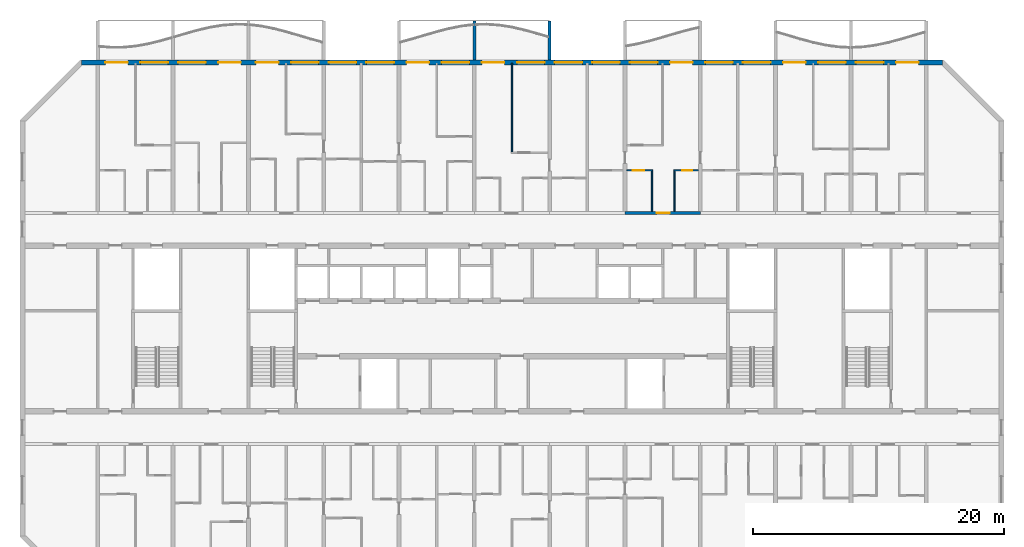
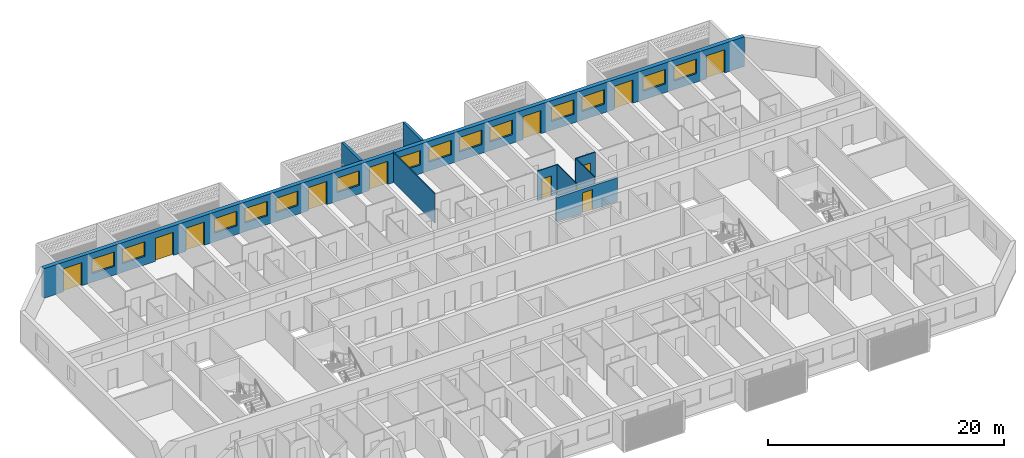
# One storey, part 10 of 32: 14 windows, 11 doors, 9 walls, 25 openings.
"""IFC4 building model written with IfcOpenShell, lengths in metres."""

from ifc_helpers import new_model, si_unit, direction, frame, frame_2d, origin, place, context, subcontext, project, spatial, polyline, rectangle, outline, extrude, source, transform, mapped, material, layer, layer_set, type_object, element, fill, save


model = new_model("IFC4")

# Units and contexts
model_context = context("Model", 3, precision=1e-05, world=origin(), true_north=direction((0.0, 1.0)))
body_context = subcontext(model_context, "Body", "Model", "MODEL_VIEW")
ifc_project = project(units=[si_unit("LENGTHUNIT", "METRE"), si_unit("AREAUNIT", "SQUARE_METRE"), si_unit("VOLUMEUNIT", "CUBIC_METRE"), si_unit("PLANEANGLEUNIT", "RADIAN"), si_unit("MASSUNIT", "GRAM", prefix="KILO")], contexts=[model_context])

# Site, building, storey
site_placement = place(None, origin())
site = spatial("IfcSite", under=ifc_project, at=site_placement, CompositionType="ELEMENT")
building_placement = place(site_placement, origin())
building = spatial("IfcBuilding", under=site, at=building_placement, Name="Poui Terraces", CompositionType="ELEMENT")
storey_placement = place(building_placement, frame((0.0, 0.0, 152.10009765625)))
storey = spatial("IfcBuildingStorey", under=building, at=storey_placement, Name="L42", CompositionType="ELEMENT", Elevation=152.10009765625)

# Wall, opening, door
ifc_material_1 = material(Name="Concrete 65 MPa", Category="concrete")
ifc_layer_1 = layer(ifc_material_1, 0.25)
ifc_layer_set_1 = layer_set([ifc_layer_1], Name="Concrete 65 MPa")
wall_type_1 = type_object("IfcWallType", Name="CORRIDOR WALL 250 65MPa", PredefinedType="SHEAR", material=ifc_layer_set_1)
wall_1_placement = place(storey_placement, frame((60.0, 30.39990234375, 0.0), z_axis=(0.0, 0.0, 1.0), x_axis=(1.0, 0.0, 0.0)))
wall_1 = element("IfcWall", 1, at=wall_1_placement, inside=storey, type_object=wall_type_1, Name="CORRIDOR WALL LINE E BAY 9", PredefinedType="SHEAR", context=body_context, shape_type="SweptSolid", body=[
    extrude(rectangle(XDim=6.0, YDim=0.25, at=frame_2d((3.0, 0.0))), origin(), (0.0, 0.0, 1.0), 2.469970703125),
])
opening_1_placement = place(wall_1_placement, frame((2.550048828125, 0.0, 0.0)))
opening_1 = element("IfcOpeningElement", 2, at=opening_1_placement, cuts=wall_1, Name="Opening FD30S", PredefinedType="OPENING", context=body_context, shape_type="SweptSolid", body=[
    extrude(rectangle(XDim=1.0, YDim=2.10009765625, at=frame_2d((0.5, 1.050048828125))), frame((0.0, 0.135009765625, 0.0), z_axis=(0.0, -1.0, 0.0), x_axis=(1.0, 0.0, 0.0)), (0.0, 0.0, 1.0), 0.27001953125),
])
ifc_material_2 = material(Name="Steel fire door", Category="steel")
door_type_1 = type_object("IfcDoorType", Name="FLAT ENTRANCE DOOR 1000 X 2100", OperationType="NOTDEFINED", PredefinedType="DOOR", material=ifc_material_2)
door_1_placement = place(opening_1_placement, origin())
door_1 = element("IfcDoor", 3, at=door_1_placement, inside=storey, type_object=door_type_1, Name="FLAT ENTRANCE DOOR 060", OperationType="SINGLE_SWING_RIGHT", OverallHeight=2.10009765625, OverallWidth=1.0, PredefinedType="DOOR", context=body_context, shape_type="SweptSolid", body=[
    extrude(rectangle(XDim=1.0, YDim=2.10009765625, at=frame_2d((0.5, 1.050048828125))), frame((0.0, 0.02490234375, 0.0), z_axis=(0.0, -1.0, 0.0), x_axis=(1.0, 0.0, 0.0)), (0.0, 0.0, 1.0), 0.050048828125),
])
fill(opening_1, door_1)

# Wall, openings, doors, windows
ifc_material_3 = material(Name="Precast concrete 40 MPa", Category="concrete")
ifc_layer_2 = layer(ifc_material_3, 0.39990234375)
ifc_layer_set_2 = layer_set([ifc_layer_2], Name="Precast concrete 40 MPa")
wall_type_2 = type_object("IfcWallType", Name="EXTERNAL WALL 400", PredefinedType="STANDARD", material=ifc_layer_set_2)
wall_2_placement = place(storey_placement, frame((85.317138671875, 42.39990234375, 0.0), z_axis=(0.0, 0.0, 1.0), x_axis=(-1.0, 0.0, 0.0)))
wall_2 = element("IfcWall", 4, at=wall_2_placement, inside=storey, type_object=wall_type_2, Name="EXTERNAL WALL N", PredefinedType="STANDARD", context=body_context, shape_type="SweptSolid", body=[
    extrude(rectangle(XDim=68.63427734375, YDim=0.39990234375, at=frame_2d((34.317138671875, 0.0))), origin(), (0.0, 0.0, 1.0), 3.06982421875),
])
opening_2_placement = place(wall_2_placement, frame((64.917236328125, 0.0, 0.0)))
opening_2 = element("IfcOpeningElement", 5, at=opening_2_placement, cuts=wall_2, Name="Opening BD1", PredefinedType="OPENING", context=body_context, shape_type="SweptSolid", body=[
    extrude(rectangle(XDim=1.800048828125, YDim=2.39990234375, at=frame_2d((0.89990234375, 1.199951171875))), frame((0.0, 0.2099609375, 0.0), z_axis=(0.0, -1.0, 0.0), x_axis=(1.0, 0.0, 0.0)), (0.0, 0.0, 1.0), 0.419921875),
])
opening_3_placement = place(wall_2_placement, frame((61.71728515625, 0.0, 0.89990234375)))
opening_3 = element("IfcOpeningElement", 6, at=opening_3_placement, cuts=wall_2, Name="Opening W1", PredefinedType="OPENING", context=body_context, shape_type="SweptSolid", body=[
    extrude(rectangle(XDim=2.199951171875, YDim=1.5, at=frame_2d((1.10009765625, 0.75))), frame((0.0, 0.2099609375, 0.0), z_axis=(0.0, -1.0, 0.0), x_axis=(1.0, 0.0, 0.0)), (0.0, 0.0, 1.0), 0.419921875),
])
opening_4_placement = place(wall_2_placement, frame((58.71728515625, 0.0, 0.89990234375)))
opening_4 = element("IfcOpeningElement", 7, at=opening_4_placement, cuts=wall_2, Name="Opening W1", PredefinedType="OPENING", context=body_context, shape_type="SweptSolid", body=[
    extrude(rectangle(XDim=2.199951171875, YDim=1.5, at=frame_2d((1.10009765625, 0.75))), frame((0.0, 0.2099609375, 0.0), z_axis=(0.0, -1.0, 0.0), x_axis=(1.0, 0.0, 0.0)), (0.0, 0.0, 1.0), 0.419921875),
])
opening_5_placement = place(wall_2_placement, frame((55.917236328125, 0.0, 0.0)))
opening_5 = element("IfcOpeningElement", 8, at=opening_5_placement, cuts=wall_2, Name="Opening BD1", PredefinedType="OPENING", context=body_context, shape_type="SweptSolid", body=[
    extrude(rectangle(XDim=1.800048828125, YDim=2.39990234375, at=frame_2d((0.89990234375, 1.199951171875))), frame((0.0, 0.2099609375, 0.0), z_axis=(0.0, -1.0, 0.0), x_axis=(1.0, 0.0, 0.0)), (0.0, 0.0, 1.0), 0.419921875),
])
opening_6_placement = place(wall_2_placement, frame((52.917236328125, 0.0, 0.0)))
opening_6 = element("IfcOpeningElement", 9, at=opening_6_placement, cuts=wall_2, Name="Opening BD1", PredefinedType="OPENING", context=body_context, shape_type="SweptSolid", body=[
    extrude(rectangle(XDim=1.800048828125, YDim=2.39990234375, at=frame_2d((0.89990234375, 1.199951171875))), frame((0.0, 0.2099609375, 0.0), z_axis=(0.0, -1.0, 0.0), x_axis=(1.0, 0.0, 0.0)), (0.0, 0.0, 1.0), 0.419921875),
])
opening_7_placement = place(wall_2_placement, frame((49.71728515625, 0.0, 0.89990234375)))
opening_7 = element("IfcOpeningElement", 10, at=opening_7_placement, cuts=wall_2, Name="Opening W1", PredefinedType="OPENING", context=body_context, shape_type="SweptSolid", body=[
    extrude(rectangle(XDim=2.199951171875, YDim=1.5, at=frame_2d((1.10009765625, 0.75))), frame((0.0, 0.2099609375, 0.0), z_axis=(0.0, -1.0, 0.0), x_axis=(1.0, 0.0, 0.0)), (0.0, 0.0, 1.0), 0.419921875),
])
opening_8_placement = place(wall_2_placement, frame((46.71728515625, 0.0, 0.89990234375)))
opening_8 = element("IfcOpeningElement", 11, at=opening_8_placement, cuts=wall_2, Name="Opening W1", PredefinedType="OPENING", context=body_context, shape_type="SweptSolid", body=[
    extrude(rectangle(XDim=2.199951171875, YDim=1.5, at=frame_2d((1.10009765625, 0.75))), frame((0.0, 0.2099609375, 0.0), z_axis=(0.0, -1.0, 0.0), x_axis=(1.0, 0.0, 0.0)), (0.0, 0.0, 1.0), 0.419921875),
])
opening_9_placement = place(wall_2_placement, frame((43.71728515625, 0.0, 0.89990234375)))
opening_9 = element("IfcOpeningElement", 12, at=opening_9_placement, cuts=wall_2, Name="Opening W1", PredefinedType="OPENING", context=body_context, shape_type="SweptSolid", body=[
    extrude(rectangle(XDim=2.199951171875, YDim=1.5, at=frame_2d((1.10009765625, 0.75))), frame((0.0, 0.2099609375, 0.0), z_axis=(0.0, -1.0, 0.0), x_axis=(1.0, 0.0, 0.0)), (0.0, 0.0, 1.0), 0.419921875),
])
opening_10_placement = place(wall_2_placement, frame((40.917236328125, 0.0, 0.0)))
opening_10 = element("IfcOpeningElement", 13, at=opening_10_placement, cuts=wall_2, Name="Opening BD1", PredefinedType="OPENING", context=body_context, shape_type="SweptSolid", body=[
    extrude(rectangle(XDim=1.800048828125, YDim=2.39990234375, at=frame_2d((0.89990234375, 1.199951171875))), frame((0.0, 0.2099609375, 0.0), z_axis=(0.0, -1.0, 0.0), x_axis=(1.0, 0.0, 0.0)), (0.0, 0.0, 1.0), 0.419921875),
])
opening_11_placement = place(wall_2_placement, frame((37.71728515625, 0.0, 0.89990234375)))
opening_11 = element("IfcOpeningElement", 14, at=opening_11_placement, cuts=wall_2, Name="Opening W1", PredefinedType="OPENING", context=body_context, shape_type="SweptSolid", body=[
    extrude(rectangle(XDim=2.199951171875, YDim=1.5, at=frame_2d((1.10009765625, 0.75))), frame((0.0, 0.2099609375, 0.0), z_axis=(0.0, -1.0, 0.0), x_axis=(1.0, 0.0, 0.0)), (0.0, 0.0, 1.0), 0.419921875),
])
opening_12_placement = place(wall_2_placement, frame((34.917236328125, 0.0, 0.0)))
opening_12 = element("IfcOpeningElement", 15, at=opening_12_placement, cuts=wall_2, Name="Opening BD1", PredefinedType="OPENING", context=body_context, shape_type="SweptSolid", body=[
    extrude(rectangle(XDim=1.800048828125, YDim=2.39990234375, at=frame_2d((0.89990234375, 1.199951171875))), frame((0.0, 0.2099609375, 0.0), z_axis=(0.0, -1.0, 0.0), x_axis=(1.0, 0.0, 0.0)), (0.0, 0.0, 1.0), 0.419921875),
])
opening_13_placement = place(wall_2_placement, frame((31.71728515625, 0.0, 0.89990234375)))
opening_13 = element("IfcOpeningElement", 16, at=opening_13_placement, cuts=wall_2, Name="Opening W1", PredefinedType="OPENING", context=body_context, shape_type="SweptSolid", body=[
    extrude(rectangle(XDim=2.199951171875, YDim=1.5, at=frame_2d((1.10009765625, 0.75))), frame((0.0, 0.2099609375, 0.0), z_axis=(0.0, -1.0, 0.0), x_axis=(1.0, 0.0, 0.0)), (0.0, 0.0, 1.0), 0.419921875),
])
opening_14_placement = place(wall_2_placement, frame((28.71728515625, 0.0, 0.89990234375)))
opening_14 = element("IfcOpeningElement", 17, at=opening_14_placement, cuts=wall_2, Name="Opening W1", PredefinedType="OPENING", context=body_context, shape_type="SweptSolid", body=[
    extrude(rectangle(XDim=2.199951171875, YDim=1.5, at=frame_2d((1.10009765625, 0.75))), frame((0.0, 0.2099609375, 0.0), z_axis=(0.0, -1.0, 0.0), x_axis=(1.0, 0.0, 0.0)), (0.0, 0.0, 1.0), 0.419921875),
])
opening_15_placement = place(wall_2_placement, frame((25.71728515625, 0.0, 0.89990234375)))
opening_15 = element("IfcOpeningElement", 18, at=opening_15_placement, cuts=wall_2, Name="Opening W1", PredefinedType="OPENING", context=body_context, shape_type="SweptSolid", body=[
    extrude(rectangle(XDim=2.199951171875, YDim=1.5, at=frame_2d((1.10009765625, 0.75))), frame((0.0, 0.2099609375, 0.0), z_axis=(0.0, -1.0, 0.0), x_axis=(1.0, 0.0, 0.0)), (0.0, 0.0, 1.0), 0.419921875),
])
opening_16_placement = place(wall_2_placement, frame((22.71728515625, 0.0, 0.89990234375)))
opening_16 = element("IfcOpeningElement", 19, at=opening_16_placement, cuts=wall_2, Name="Opening W1", PredefinedType="OPENING", context=body_context, shape_type="SweptSolid", body=[
    extrude(rectangle(XDim=2.199951171875, YDim=1.5, at=frame_2d((1.10009765625, 0.75))), frame((0.0, 0.2099609375, 0.0), z_axis=(0.0, -1.0, 0.0), x_axis=(1.0, 0.0, 0.0)), (0.0, 0.0, 1.0), 0.419921875),
])
opening_17_placement = place(wall_2_placement, frame((19.917236328125, 0.0, 0.0)))
opening_17 = element("IfcOpeningElement", 20, at=opening_17_placement, cuts=wall_2, Name="Opening BD1", PredefinedType="OPENING", context=body_context, shape_type="SweptSolid", body=[
    extrude(rectangle(XDim=1.800048828125, YDim=2.39990234375, at=frame_2d((0.89990234375, 1.199951171875))), frame((0.0, 0.2099609375, 0.0), z_axis=(0.0, -1.0, 0.0), x_axis=(1.0, 0.0, 0.0)), (0.0, 0.0, 1.0), 0.419921875),
])
opening_18_placement = place(wall_2_placement, frame((16.71728515625, 0.0, 0.89990234375)))
opening_18 = element("IfcOpeningElement", 21, at=opening_18_placement, cuts=wall_2, Name="Opening W1", PredefinedType="OPENING", context=body_context, shape_type="SweptSolid", body=[
    extrude(rectangle(XDim=2.199951171875, YDim=1.5, at=frame_2d((1.10009765625, 0.75))), frame((0.0, 0.2099609375, 0.0), z_axis=(0.0, -1.0, 0.0), x_axis=(1.0, 0.0, 0.0)), (0.0, 0.0, 1.0), 0.419921875),
])
opening_19_placement = place(wall_2_placement, frame((13.71728515625, 0.0, 0.89990234375)))
opening_19 = element("IfcOpeningElement", 22, at=opening_19_placement, cuts=wall_2, Name="Opening W1", PredefinedType="OPENING", context=body_context, shape_type="SweptSolid", body=[
    extrude(rectangle(XDim=2.199951171875, YDim=1.5, at=frame_2d((1.10009765625, 0.75))), frame((0.0, 0.2099609375, 0.0), z_axis=(0.0, -1.0, 0.0), x_axis=(1.0, 0.0, 0.0)), (0.0, 0.0, 1.0), 0.419921875),
])
opening_20_placement = place(wall_2_placement, frame((10.917236328125, 0.0, 0.0)))
opening_20 = element("IfcOpeningElement", 23, at=opening_20_placement, cuts=wall_2, Name="Opening BD1", PredefinedType="OPENING", context=body_context, shape_type="SweptSolid", body=[
    extrude(rectangle(XDim=1.800048828125, YDim=2.39990234375, at=frame_2d((0.89990234375, 1.199951171875))), frame((0.0, 0.2099609375, 0.0), z_axis=(0.0, -1.0, 0.0), x_axis=(1.0, 0.0, 0.0)), (0.0, 0.0, 1.0), 0.419921875),
])
opening_21_placement = place(wall_2_placement, frame((7.71728515625, 0.0, 0.89990234375)))
opening_21 = element("IfcOpeningElement", 24, at=opening_21_placement, cuts=wall_2, Name="Opening W1", PredefinedType="OPENING", context=body_context, shape_type="SweptSolid", body=[
    extrude(rectangle(XDim=2.199951171875, YDim=1.5, at=frame_2d((1.10009765625, 0.75))), frame((0.0, 0.2099609375, 0.0), z_axis=(0.0, -1.0, 0.0), x_axis=(1.0, 0.0, 0.0)), (0.0, 0.0, 1.0), 0.419921875),
])
opening_22_placement = place(wall_2_placement, frame((4.71728515625, 0.0, 0.89990234375)))
opening_22 = element("IfcOpeningElement", 25, at=opening_22_placement, cuts=wall_2, Name="Opening W1", PredefinedType="OPENING", context=body_context, shape_type="SweptSolid", body=[
    extrude(rectangle(XDim=2.199951171875, YDim=1.5, at=frame_2d((1.10009765625, 0.75))), frame((0.0, 0.2099609375, 0.0), z_axis=(0.0, -1.0, 0.0), x_axis=(1.0, 0.0, 0.0)), (0.0, 0.0, 1.0), 0.419921875),
])
opening_23_placement = place(wall_2_placement, frame((1.917236328125, 0.0, 0.0)))
opening_23 = element("IfcOpeningElement", 26, at=opening_23_placement, cuts=wall_2, Name="Opening BD1", PredefinedType="OPENING", context=body_context, shape_type="SweptSolid", body=[
    extrude(rectangle(XDim=1.800048828125, YDim=2.39990234375, at=frame_2d((0.89990234375, 1.199951171875))), frame((0.0, 0.2099609375, 0.0), z_axis=(0.0, -1.0, 0.0), x_axis=(1.0, 0.0, 0.0)), (0.0, 0.0, 1.0), 0.419921875),
])
ifc_material_4 = material(Name="Clear glass in aluminium frame", Category="aluminium")
door_type_2 = type_object("IfcDoorType", Name="BALCONY DOOR 1800X2400", OperationType="DOUBLE_DOOR_SLIDING", PredefinedType="DOOR", material=ifc_material_4)
door_2_placement = place(opening_2_placement, origin())
door_2 = element("IfcDoor", 27, at=door_2_placement, inside=storey, type_object=door_type_2, Name="BD1 BALCONY DOOR", OperationType="DOUBLE_DOOR_SLIDING", OverallHeight=2.39990234375, OverallWidth=1.800048828125, PredefinedType="DOOR", context=body_context, shape_type="SweptSolid", body=[
    extrude(rectangle(XDim=1.800048828125, YDim=2.39990234375, at=frame_2d((0.89990234375, 1.199951171875))), frame((0.0, 0.02490234375, 0.0), z_axis=(0.0, -1.0, 0.0), x_axis=(1.0, 0.0, 0.0)), (0.0, 0.0, 1.0), 0.050048828125),
])
fill(opening_2, door_2)
door_3_placement = place(opening_5_placement, origin())
door_3 = element("IfcDoor", 28, at=door_3_placement, inside=storey, type_object=door_type_2, Name="BD1 BALCONY DOOR", OperationType="DOUBLE_DOOR_SLIDING", OverallHeight=2.39990234375, OverallWidth=1.800048828125, PredefinedType="DOOR", context=body_context, shape_type="SweptSolid", body=[
    extrude(rectangle(XDim=1.800048828125, YDim=2.39990234375, at=frame_2d((0.89990234375, 1.199951171875))), frame((0.0, 0.02490234375, 0.0), z_axis=(0.0, -1.0, 0.0), x_axis=(1.0, 0.0, 0.0)), (0.0, 0.0, 1.0), 0.050048828125),
])
fill(opening_5, door_3)
door_4_placement = place(opening_6_placement, origin())
door_4 = element("IfcDoor", 29, at=door_4_placement, inside=storey, type_object=door_type_2, Name="BD1 BALCONY DOOR", OperationType="DOUBLE_DOOR_SLIDING", OverallHeight=2.39990234375, OverallWidth=1.800048828125, PredefinedType="DOOR", context=body_context, shape_type="SweptSolid", body=[
    extrude(rectangle(XDim=1.800048828125, YDim=2.39990234375, at=frame_2d((0.89990234375, 1.199951171875))), frame((0.0, 0.02490234375, 0.0), z_axis=(0.0, -1.0, 0.0), x_axis=(1.0, 0.0, 0.0)), (0.0, 0.0, 1.0), 0.050048828125),
])
fill(opening_6, door_4)
door_5_placement = place(opening_10_placement, origin())
door_5 = element("IfcDoor", 30, at=door_5_placement, inside=storey, type_object=door_type_2, Name="BD1 BALCONY DOOR", OperationType="DOUBLE_DOOR_SLIDING", OverallHeight=2.39990234375, OverallWidth=1.800048828125, PredefinedType="DOOR", context=body_context, shape_type="SweptSolid", body=[
    extrude(rectangle(XDim=1.800048828125, YDim=2.39990234375, at=frame_2d((0.89990234375, 1.199951171875))), frame((0.0, 0.02490234375, 0.0), z_axis=(0.0, -1.0, 0.0), x_axis=(1.0, 0.0, 0.0)), (0.0, 0.0, 1.0), 0.050048828125),
])
fill(opening_10, door_5)
door_6_placement = place(opening_12_placement, origin())
door_6 = element("IfcDoor", 31, at=door_6_placement, inside=storey, type_object=door_type_2, Name="BD1 BALCONY DOOR", OperationType="DOUBLE_DOOR_SLIDING", OverallHeight=2.39990234375, OverallWidth=1.800048828125, PredefinedType="DOOR", context=body_context, shape_type="SweptSolid", body=[
    extrude(rectangle(XDim=1.800048828125, YDim=2.39990234375, at=frame_2d((0.89990234375, 1.199951171875))), frame((0.0, 0.02490234375, 0.0), z_axis=(0.0, -1.0, 0.0), x_axis=(1.0, 0.0, 0.0)), (0.0, 0.0, 1.0), 0.050048828125),
])
fill(opening_12, door_6)
door_7_placement = place(opening_17_placement, origin())
door_7 = element("IfcDoor", 32, at=door_7_placement, inside=storey, type_object=door_type_2, Name="BD1 BALCONY DOOR", OperationType="DOUBLE_DOOR_SLIDING", OverallHeight=2.39990234375, OverallWidth=1.800048828125, PredefinedType="DOOR", context=body_context, shape_type="SweptSolid", body=[
    extrude(rectangle(XDim=1.800048828125, YDim=2.39990234375, at=frame_2d((0.89990234375, 1.199951171875))), frame((0.0, 0.02490234375, 0.0), z_axis=(0.0, -1.0, 0.0), x_axis=(1.0, 0.0, 0.0)), (0.0, 0.0, 1.0), 0.050048828125),
])
fill(opening_17, door_7)
door_8_placement = place(opening_20_placement, origin())
door_8 = element("IfcDoor", 33, at=door_8_placement, inside=storey, type_object=door_type_2, Name="BD1 BALCONY DOOR", OperationType="DOUBLE_DOOR_SLIDING", OverallHeight=2.39990234375, OverallWidth=1.800048828125, PredefinedType="DOOR", context=body_context, shape_type="SweptSolid", body=[
    extrude(rectangle(XDim=1.800048828125, YDim=2.39990234375, at=frame_2d((0.89990234375, 1.199951171875))), frame((0.0, 0.02490234375, 0.0), z_axis=(0.0, -1.0, 0.0), x_axis=(1.0, 0.0, 0.0)), (0.0, 0.0, 1.0), 0.050048828125),
])
fill(opening_20, door_8)
door_9_placement = place(opening_23_placement, origin())
door_9 = element("IfcDoor", 34, at=door_9_placement, inside=storey, type_object=door_type_2, Name="BD1 BALCONY DOOR", OperationType="DOUBLE_DOOR_SLIDING", OverallHeight=2.39990234375, OverallWidth=1.800048828125, PredefinedType="DOOR", context=body_context, shape_type="SweptSolid", body=[
    extrude(rectangle(XDim=1.800048828125, YDim=2.39990234375, at=frame_2d((0.89990234375, 1.199951171875))), frame((0.0, 0.02490234375, 0.0), z_axis=(0.0, -1.0, 0.0), x_axis=(1.0, 0.0, 0.0)), (0.0, 0.0, 1.0), 0.050048828125),
])
fill(opening_23, door_9)
window_type = type_object("IfcWindowType", Name="WINDOW 2200X1500", PartitioningType="DOUBLE_PANEL_HORIZONTAL", PredefinedType="WINDOW", material=ifc_material_4)
window_1_placement = place(opening_3_placement, origin())
window_1 = element("IfcWindow", 35, at=window_1_placement, inside=storey, type_object=window_type, Name="W1 WINDOW", OverallHeight=1.5, OverallWidth=2.199951171875, PartitioningType="DOUBLE_PANEL_HORIZONTAL", PredefinedType="WINDOW", context=body_context, shape_type="SweptSolid", body=[
    extrude(rectangle(XDim=2.199951171875, YDim=1.5, at=frame_2d((1.10009765625, 0.75))), frame((0.0, 0.030029296875, 0.0), z_axis=(0.0, -1.0, 0.0), x_axis=(1.0, 0.0, 0.0)), (0.0, 0.0, 1.0), 0.06005859375),
])
fill(opening_3, window_1)
window_2_placement = place(opening_4_placement, origin())
window_2 = element("IfcWindow", 36, at=window_2_placement, inside=storey, type_object=window_type, Name="W1 WINDOW", OverallHeight=1.5, OverallWidth=2.199951171875, PartitioningType="DOUBLE_PANEL_HORIZONTAL", PredefinedType="WINDOW", context=body_context, shape_type="SweptSolid", body=[
    extrude(rectangle(XDim=2.199951171875, YDim=1.5, at=frame_2d((1.10009765625, 0.75))), frame((0.0, 0.030029296875, 0.0), z_axis=(0.0, -1.0, 0.0), x_axis=(1.0, 0.0, 0.0)), (0.0, 0.0, 1.0), 0.06005859375),
])
fill(opening_4, window_2)
window_3_placement = place(opening_7_placement, origin())
window_3 = element("IfcWindow", 37, at=window_3_placement, inside=storey, type_object=window_type, Name="W1 WINDOW", OverallHeight=1.5, OverallWidth=2.199951171875, PartitioningType="DOUBLE_PANEL_HORIZONTAL", PredefinedType="WINDOW", context=body_context, shape_type="SweptSolid", body=[
    extrude(rectangle(XDim=2.199951171875, YDim=1.5, at=frame_2d((1.10009765625, 0.75))), frame((0.0, 0.030029296875, 0.0), z_axis=(0.0, -1.0, 0.0), x_axis=(1.0, 0.0, 0.0)), (0.0, 0.0, 1.0), 0.06005859375),
])
fill(opening_7, window_3)
window_4_placement = place(opening_8_placement, origin())
window_4 = element("IfcWindow", 38, at=window_4_placement, inside=storey, type_object=window_type, Name="W1 WINDOW", OverallHeight=1.5, OverallWidth=2.199951171875, PartitioningType="DOUBLE_PANEL_HORIZONTAL", PredefinedType="WINDOW", context=body_context, shape_type="SweptSolid", body=[
    extrude(rectangle(XDim=2.199951171875, YDim=1.5, at=frame_2d((1.10009765625, 0.75))), frame((0.0, 0.030029296875, 0.0), z_axis=(0.0, -1.0, 0.0), x_axis=(1.0, 0.0, 0.0)), (0.0, 0.0, 1.0), 0.06005859375),
])
fill(opening_8, window_4)
window_5_placement = place(opening_9_placement, origin())
window_5 = element("IfcWindow", 39, at=window_5_placement, inside=storey, type_object=window_type, Name="W1 WINDOW", OverallHeight=1.5, OverallWidth=2.199951171875, PartitioningType="DOUBLE_PANEL_HORIZONTAL", PredefinedType="WINDOW", context=body_context, shape_type="SweptSolid", body=[
    extrude(rectangle(XDim=2.199951171875, YDim=1.5, at=frame_2d((1.10009765625, 0.75))), frame((0.0, 0.030029296875, 0.0), z_axis=(0.0, -1.0, 0.0), x_axis=(1.0, 0.0, 0.0)), (0.0, 0.0, 1.0), 0.06005859375),
])
fill(opening_9, window_5)
window_6_placement = place(opening_11_placement, origin())
window_6 = element("IfcWindow", 40, at=window_6_placement, inside=storey, type_object=window_type, Name="W1 WINDOW", OverallHeight=1.5, OverallWidth=2.199951171875, PartitioningType="DOUBLE_PANEL_HORIZONTAL", PredefinedType="WINDOW", context=body_context, shape_type="SweptSolid", body=[
    extrude(rectangle(XDim=2.199951171875, YDim=1.5, at=frame_2d((1.10009765625, 0.75))), frame((0.0, 0.030029296875, 0.0), z_axis=(0.0, -1.0, 0.0), x_axis=(1.0, 0.0, 0.0)), (0.0, 0.0, 1.0), 0.06005859375),
])
fill(opening_11, window_6)
window_7_placement = place(opening_13_placement, origin())
window_7 = element("IfcWindow", 41, at=window_7_placement, inside=storey, type_object=window_type, Name="W1 WINDOW", OverallHeight=1.5, OverallWidth=2.199951171875, PartitioningType="DOUBLE_PANEL_HORIZONTAL", PredefinedType="WINDOW", context=body_context, shape_type="SweptSolid", body=[
    extrude(rectangle(XDim=2.199951171875, YDim=1.5, at=frame_2d((1.10009765625, 0.75))), frame((0.0, 0.030029296875, 0.0), z_axis=(0.0, -1.0, 0.0), x_axis=(1.0, 0.0, 0.0)), (0.0, 0.0, 1.0), 0.06005859375),
])
fill(opening_13, window_7)
window_8_placement = place(opening_14_placement, origin())
window_8 = element("IfcWindow", 42, at=window_8_placement, inside=storey, type_object=window_type, Name="W1 WINDOW", OverallHeight=1.5, OverallWidth=2.199951171875, PartitioningType="DOUBLE_PANEL_HORIZONTAL", PredefinedType="WINDOW", context=body_context, shape_type="SweptSolid", body=[
    extrude(rectangle(XDim=2.199951171875, YDim=1.5, at=frame_2d((1.10009765625, 0.75))), frame((0.0, 0.030029296875, 0.0), z_axis=(0.0, -1.0, 0.0), x_axis=(1.0, 0.0, 0.0)), (0.0, 0.0, 1.0), 0.06005859375),
])
fill(opening_14, window_8)
window_9_placement = place(opening_15_placement, origin())
window_9 = element("IfcWindow", 43, at=window_9_placement, inside=storey, type_object=window_type, Name="W1 WINDOW", OverallHeight=1.5, OverallWidth=2.199951171875, PartitioningType="DOUBLE_PANEL_HORIZONTAL", PredefinedType="WINDOW", context=body_context, shape_type="SweptSolid", body=[
    extrude(rectangle(XDim=2.199951171875, YDim=1.5, at=frame_2d((1.10009765625, 0.75))), frame((0.0, 0.030029296875, 0.0), z_axis=(0.0, -1.0, 0.0), x_axis=(1.0, 0.0, 0.0)), (0.0, 0.0, 1.0), 0.06005859375),
])
fill(opening_15, window_9)
window_10_placement = place(opening_16_placement, origin())
window_10 = element("IfcWindow", 44, at=window_10_placement, inside=storey, type_object=window_type, Name="W1 WINDOW", OverallHeight=1.5, OverallWidth=2.199951171875, PartitioningType="DOUBLE_PANEL_HORIZONTAL", PredefinedType="WINDOW", context=body_context, shape_type="SweptSolid", body=[
    extrude(rectangle(XDim=2.199951171875, YDim=1.5, at=frame_2d((1.10009765625, 0.75))), frame((0.0, 0.030029296875, 0.0), z_axis=(0.0, -1.0, 0.0), x_axis=(1.0, 0.0, 0.0)), (0.0, 0.0, 1.0), 0.06005859375),
])
fill(opening_16, window_10)
window_11_placement = place(opening_18_placement, origin())
window_11 = element("IfcWindow", 45, at=window_11_placement, inside=storey, type_object=window_type, Name="W1 WINDOW", OverallHeight=1.5, OverallWidth=2.199951171875, PartitioningType="DOUBLE_PANEL_HORIZONTAL", PredefinedType="WINDOW", context=body_context, shape_type="SweptSolid", body=[
    extrude(rectangle(XDim=2.199951171875, YDim=1.5, at=frame_2d((1.10009765625, 0.75))), frame((0.0, 0.030029296875, 0.0), z_axis=(0.0, -1.0, 0.0), x_axis=(1.0, 0.0, 0.0)), (0.0, 0.0, 1.0), 0.06005859375),
])
fill(opening_18, window_11)
window_12_placement = place(opening_19_placement, origin())
window_12 = element("IfcWindow", 46, at=window_12_placement, inside=storey, type_object=window_type, Name="W1 WINDOW", OverallHeight=1.5, OverallWidth=2.199951171875, PartitioningType="DOUBLE_PANEL_HORIZONTAL", PredefinedType="WINDOW", context=body_context, shape_type="SweptSolid", body=[
    extrude(rectangle(XDim=2.199951171875, YDim=1.5, at=frame_2d((1.10009765625, 0.75))), frame((0.0, 0.030029296875, 0.0), z_axis=(0.0, -1.0, 0.0), x_axis=(1.0, 0.0, 0.0)), (0.0, 0.0, 1.0), 0.06005859375),
])
fill(opening_19, window_12)
window_13_placement = place(opening_21_placement, origin())
window_13 = element("IfcWindow", 47, at=window_13_placement, inside=storey, type_object=window_type, Name="W1 WINDOW", OverallHeight=1.5, OverallWidth=2.199951171875, PartitioningType="DOUBLE_PANEL_HORIZONTAL", PredefinedType="WINDOW", context=body_context, shape_type="SweptSolid", body=[
    extrude(rectangle(XDim=2.199951171875, YDim=1.5, at=frame_2d((1.10009765625, 0.75))), frame((0.0, 0.030029296875, 0.0), z_axis=(0.0, -1.0, 0.0), x_axis=(1.0, 0.0, 0.0)), (0.0, 0.0, 1.0), 0.06005859375),
])
fill(opening_21, window_13)
window_14_placement = place(opening_22_placement, origin())
window_14 = element("IfcWindow", 48, at=window_14_placement, inside=storey, type_object=window_type, Name="W1 WINDOW", OverallHeight=1.5, OverallWidth=2.199951171875, PartitioningType="DOUBLE_PANEL_HORIZONTAL", PredefinedType="WINDOW", context=body_context, shape_type="SweptSolid", body=[
    extrude(rectangle(XDim=2.199951171875, YDim=1.5, at=frame_2d((1.10009765625, 0.75))), frame((0.0, 0.030029296875, 0.0), z_axis=(0.0, -1.0, 0.0), x_axis=(1.0, 0.0, 0.0)), (0.0, 0.0, 1.0), 0.06005859375),
])
fill(opening_22, window_14)

# Wall, opening, door
ifc_material_5 = material(Name="Plasterboard partition")
ifc_layer_3 = layer(ifc_material_5, 0.10009765625)
ifc_layer_set_3 = layer_set([ifc_layer_3], Name="Plasterboard partition")
wall_type_3 = type_object("IfcWallType", Name="FLAT PARTITION 100", PredefinedType="PARTITIONING", material=ifc_layer_set_3)
wall_3_placement = place(storey_placement, frame((60.159912109375, 33.800048828125, 0.0), z_axis=(0.0, 0.0, 1.0), x_axis=(1.0, 0.0, 0.0)))
wall_3 = element("IfcWall", 49, at=wall_3_placement, inside=storey, type_object=wall_type_3, Name="FLAT PARTITION 100", PredefinedType="PARTITIONING", context=body_context, shape_type="SweptSolid", body=[
    extrude(rectangle(XDim=2.0400390625, YDim=0.10009765625, at=frame_2d((1.02001953125, 0.0))), origin(), (0.0, 0.0, 1.0), 3.06982421875),
])
opening_24_placement = place(wall_3_placement, frame((0.465087890625, 0.0, 0.0)))
opening_24 = element("IfcOpeningElement", 50, at=opening_24_placement, cuts=wall_3, Name="Opening D90", PredefinedType="OPENING", context=body_context, shape_type="SweptSolid", body=[
    extrude(rectangle(XDim=0.89990234375, YDim=2.10009765625, at=frame_2d((0.449951171875, 1.050048828125))), frame((0.0, 0.06005859375, 0.0), z_axis=(0.0, -1.0, 0.0), x_axis=(1.0, 0.0, 0.0)), (0.0, 0.0, 1.0), 0.1201171875),
])
ifc_material_6 = material(Name="Solid core timber door", Category="wood")
door_type_3 = type_object("IfcDoorType", Name="INTERNAL DOOR 900 X 2100", OperationType="NOTDEFINED", PredefinedType="DOOR", material=ifc_material_6)
door_10_placement = place(opening_24_placement, frame((0.89990234375, 0.0, 0.0), z_axis=(0.0, 0.0, 1.0), x_axis=(-1.0, 0.0, 0.0)))
door_10 = element("IfcDoor", 51, at=door_10_placement, inside=storey, type_object=door_type_3, Name="INTERNAL DOOR 059", OperationType="SINGLE_SWING_RIGHT", OverallHeight=2.10009765625, OverallWidth=0.89990234375, PredefinedType="DOOR", context=body_context, shape_type="SweptSolid", body=[
    extrude(rectangle(XDim=0.89990234375, YDim=2.10009765625, at=frame_2d((0.449951171875, 1.050048828125))), frame((0.0, 0.02490234375, 0.0), z_axis=(0.0, -1.0, 0.0), x_axis=(1.0, 0.0, 0.0)), (0.0, 0.0, 1.0), 0.050048828125),
])
fill(opening_24, door_10)

wall_4_placement = place(storey_placement, frame((63.89990234375, 33.800048828125, 0.0), z_axis=(0.0, 0.0, 1.0), x_axis=(1.0, 0.0, 0.0)))
wall_4 = element("IfcWall", 52, at=wall_4_placement, inside=storey, type_object=wall_type_3, Name="FLAT PARTITION 100", PredefinedType="PARTITIONING", context=body_context, shape_type="SweptSolid", body=[
    extrude(rectangle(XDim=1.940185546875, YDim=0.10009765625, at=frame_2d((0.97021484375, 0.0))), origin(), (0.0, 0.0, 1.0), 3.06982421875),
])
opening_25_placement = place(wall_4_placement, frame((0.675048828125, 0.0, 0.0)))
opening_25 = element("IfcOpeningElement", 53, at=opening_25_placement, cuts=wall_4, Name="Opening D80", PredefinedType="OPENING", context=body_context, shape_type="SweptSolid", body=[
    extrude(rectangle(XDim=0.800048828125, YDim=2.10009765625, at=frame_2d((0.39990234375, 1.050048828125))), frame((0.0, 0.06005859375, 0.0), z_axis=(0.0, -1.0, 0.0), x_axis=(1.0, 0.0, 0.0)), (0.0, 0.0, 1.0), 0.1201171875),
])
door_type_4 = type_object("IfcDoorType", Name="BATHROOM, LAUNDRY AND STORE DOOR 800 X 2100", OperationType="NOTDEFINED", PredefinedType="DOOR", material=ifc_material_6)
door_11_placement = place(opening_25_placement, frame((0.800048828125, 0.0, 0.0), z_axis=(0.0, 0.0, 1.0), x_axis=(-1.0, 0.0, 0.0)))
door_11 = element("IfcDoor", 54, at=door_11_placement, inside=storey, type_object=door_type_4, Name="BATHROOM, LAUNDRY AND STORE DOOR 061", OperationType="SINGLE_SWING_LEFT", OverallHeight=2.10009765625, OverallWidth=0.800048828125, PredefinedType="DOOR", context=body_context, shape_type="SweptSolid", body=[
    extrude(rectangle(XDim=0.800048828125, YDim=2.10009765625, at=frame_2d((0.39990234375, 1.050048828125))), frame((0.0, 0.02490234375, 0.0), z_axis=(0.0, -1.0, 0.0), x_axis=(1.0, 0.0, 0.0)), (0.0, 0.0, 1.0), 0.050048828125),
])
fill(opening_25, door_11)

# Walls
wall_5_placement = place(storey_placement, frame((51.0, 35.25, 0.0), z_axis=(0.0, 0.0, 1.0), x_axis=(0.0, 1.0, 0.0)))
element("IfcWall", 55, at=wall_5_placement, inside=storey, type_object=wall_type_3, Name="FLAT PARTITION 100", PredefinedType="PARTITIONING", context=body_context, shape_type="SweptSolid", body=[
    extrude(rectangle(XDim=7.090087890625, YDim=0.10009765625, at=frame_2d((3.544921875, 0.0))), origin(), (0.0, 0.0, 1.0), 3.06982421875),
])
for number, where, z_axis, x_axis, name in (
    (56, (62.14990234375, 30.534912109375, 0.0), (0.0, 0.0, 1.0), (0.0, 1.0, 0.0), "FLAT PARTITION 100"),
    (57, (63.949951171875, 30.534912109375, 0.0), (0.0, 0.0, 1.0), (0.0, 1.0, 0.0), "FLAT PARTITION 100"),
):
    element("IfcWall", number, at=place(storey_placement, frame(where, z_axis=z_axis, x_axis=x_axis)), inside=storey, type_object=wall_type_3, Name=name, PredefinedType="PARTITIONING", context=body_context, shape_type="SweptSolid", body=[
        extrude(rectangle(XDim=3.215087890625, YDim=0.10009765625, at=frame_2d((1.607421875, 0.0))), origin(), (0.0, 0.0, 1.0), 3.06982421875),
    ])
ifc_layer_4 = layer(ifc_material_3, 0.25)
ifc_layer_set_4 = layer_set([ifc_layer_4], Name="Precast concrete 40 MPa")
wall_type_4 = type_object("IfcWallType", Name="BALCONY FIN 250", PredefinedType="STANDARD", material=ifc_layer_set_4)
shared_shape = source(origin(), body_context, "Body", "SweptSolid", [
    extrude(outline(polyline([(0.0, 0.0), (0.25, 0.0), (0.25, 3.099853515625), (0.0, 3.099853515625), (0.0, 0.0)])), origin(), (0.0, 0.0, 1.0), 3.099853515625),
])
for number, where, name in (
    (58, (47.875, 42.60009765625, 0.0), "BALCONY FIN"),
    (59, (53.875, 42.60009765625, 0.0), "BALCONY FIN"),
):
    element("IfcWall", number, at=place(storey_placement, frame(where)), inside=storey, type_object=wall_type_4, Name=name, PredefinedType="STANDARD", context=body_context, shape_type="MappedRepresentation", body=[
        mapped(shared_shape, transform((0.0, 0.0, 0.0))),
    ])

save(model, "model.ifc")
